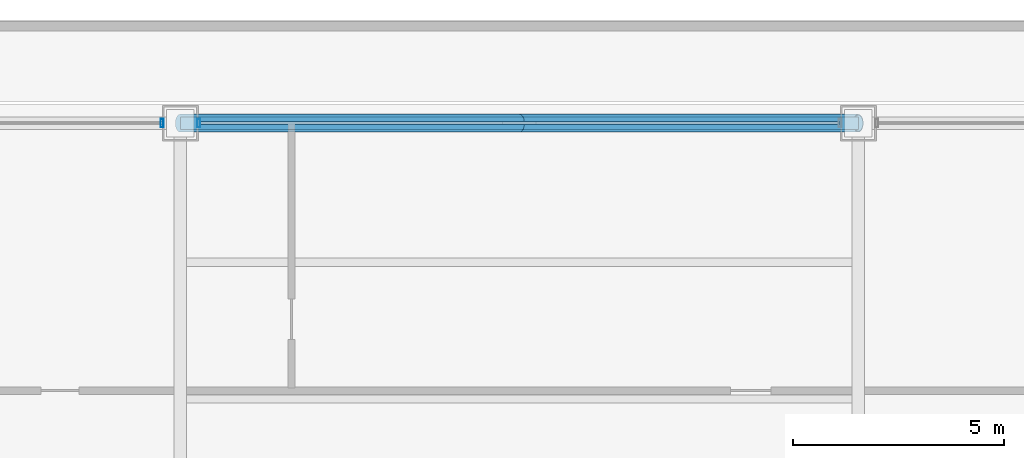
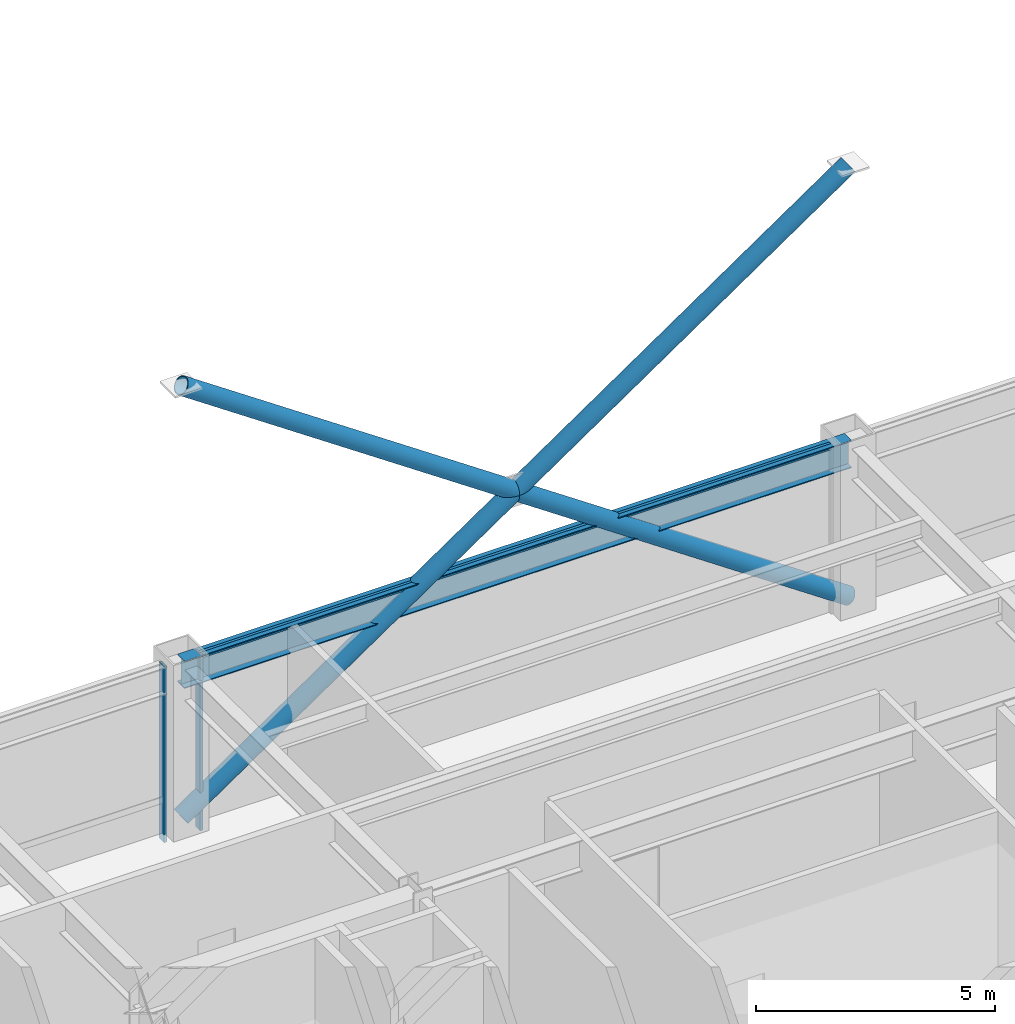
# One storey, part 22 of 32: 6 members, 1 beam, 2 elements without a shape of their own.
"""IFC4 building model written with IfcOpenShell, lengths in metres."""

from ifc_helpers import new_model, si_unit, direction, frame, origin, origin_2d, place, context, subcontext, project, spatial, hollow_rectangle, hollow_circle, i_section, extrude, material, layer, layer_set, material_profile, profile_set, type_object, element, aggregate, save


model = new_model("IFC4")

# Units and contexts
model_context = context("Model", 3, precision=1e-05, world=origin(), true_north=direction((0.0, 1.0)))
body_context = subcontext(model_context, "Body", "Model", "MODEL_VIEW")
ifc_project = project(units=[si_unit("LENGTHUNIT", "METRE"), si_unit("AREAUNIT", "SQUARE_METRE"), si_unit("VOLUMEUNIT", "CUBIC_METRE"), si_unit("PLANEANGLEUNIT", "RADIAN"), si_unit("MASSUNIT", "GRAM", prefix="KILO")], contexts=[model_context])

# Site, building, storey
site_placement = place(None, origin())
site = spatial("IfcSite", under=ifc_project, at=site_placement, CompositionType="ELEMENT")
building_placement = place(site_placement, origin())
building = spatial("IfcBuilding", under=site, at=building_placement, Name="Brelmoor Portico Tower", CompositionType="ELEMENT")
storey_placement = place(building_placement, frame((0.0, 0.0, 87.300048828125)))
storey = spatial("IfcBuildingStorey", under=building, at=storey_placement, Name="L22", CompositionType="ELEMENT", Elevation=87.300048828125)

# Beam
ifc_material_1 = material(Name="Steel Q355B", Category="steel")
ifc_material_profile_1 = material_profile(ifc_material_1, i_section(OverallWidth=0.300048828125, OverallDepth=0.699951171875, WebThickness=0.012939453125, FlangeThickness=0.02392578125, at=origin_2d()), Name="HN 700x300x13x24")
ifc_profile_set_1 = profile_set([ifc_material_profile_1], Name="Steel Q355B")
beam_type = type_object("IfcBeamType", Name="BM-SP-700", PredefinedType="SPANDREL", material=ifc_profile_set_1)
beam_placement = place(storey_placement, frame((-8.050048828125, 19.550048828125, 3.949951171875), z_axis=(1.0, 0.0, 0.0), x_axis=(0.0, 1.0, 0.0)))
element("IfcBeam", 1, at=beam_placement, inside=storey, type_object=beam_type, Name="L22 Perimeter Spandrel Beam SP-12", PredefinedType="SPANDREL", context=body_context, shape_type="SweptSolid", body=[
    extrude(i_section(OverallWidth=0.300048828125, OverallDepth=0.699951171875, WebThickness=0.012939453125, FlangeThickness=0.02392578125, at=origin_2d()), origin(), (0.0, 0.0, 1.0), 16.10009765625),
])

# Members
ifc_material_profile_2 = material_profile(ifc_material_1, hollow_circle(Radius=0.212890625, WallThickness=0.02001953125, at=origin_2d()), Name="CHS 426x20")
ifc_profile_set_2 = profile_set([ifc_material_profile_2], Name="Steel Q355B")
member_type_1 = type_object("IfcMemberType", Name="MB-BELT-DIAG1", PredefinedType="BRACE", material=ifc_profile_set_2)
member_1_placement = place(storey_placement, frame((-8.050048828125, 19.550048828125, 0.25), z_axis=(0.825686049138, 0.0, 0.564129903709), x_axis=(0.0, 1.0, 0.0)))
element("IfcMember", 2, at=member_1_placement, inside=storey, type_object=member_type_1, Name="L22 Continuous Mega-X Brace 045A", PredefinedType="BRACE", context=body_context, shape_type="SweptSolid", body=[
    extrude(hollow_circle(Radius=0.212890625, WallThickness=0.02001953125, at=origin_2d()), origin(), (0.0, 0.0, 1.0), 19.4990234375),
])
for number, where, z_axis, x_axis, name in (
    (3, (8.050048828125, 19.550048828125, 0.25), (-0.825686049138, 0.0, 0.564129903709), (0.0, -1.0, 0.0), "L22 Split Mega-X Brace 045B1"),
    (4, (0.0, 19.550048828125, 5.75), (-0.825686049138, 0.0, 0.564129903709), (0.0, -1.0, 0.0), "L22 Split Mega-X Brace 045B2"),
):
    element("IfcMember", number, at=place(storey_placement, frame(where, z_axis=z_axis, x_axis=x_axis)), inside=storey, type_object=member_type_1, Name=name, PredefinedType="BRACE", context=body_context, shape_type="SweptSolid", body=[
        extrude(hollow_circle(Radius=0.212890625, WallThickness=0.02001953125, at=origin_2d()), origin(), (0.0, 0.0, 1.0), 9.74951171875),
    ])

# Curtain wall, member
ifc_material_2 = material(Name="Anodised Aluminium Alloy 6063-T6", Category="aluminium")
ifc_layer_1 = layer(ifc_material_2, 0.179931640625)
ifc_layer_set_1 = layer_set([ifc_layer_1], Name="Anodised Aluminium Alloy 6063-T6")
curtain_wall_type_1 = type_object("IfcCurtainWallType", Name="CW-SKYLOBBY", PredefinedType="NOTDEFINED", material=ifc_layer_set_1)
curtain_wall_1_placement = place(storey_placement, origin())
curtain_wall_1 = element("IfcCurtainWall", 5, at=curtain_wall_1_placement, inside=storey, type_object=curtain_wall_type_1, Name="L22 Curtain Wall CW-L22-02-2", PredefinedType="NOTDEFINED")
ifc_material_profile_3 = material_profile(ifc_material_2, hollow_rectangle(XDim=0.070068359375, YDim=0.199951171875, WallThickness=0.00439453125, at=origin_2d()), Name="ALU MULLION 70x200")
ifc_profile_set_3 = profile_set([ifc_material_profile_3], Name="Anodised Aluminium Alloy 6063-T6")
member_type_2 = type_object("IfcMemberType", Name="MB-CW-MULL-200", PredefinedType="MULLION", material=ifc_profile_set_3)
member_2_placement = place(storey_placement, frame((-8.485107421875, 19.550048828125, -0.199951171875), z_axis=(0.0, 0.0, 1.0), x_axis=(1.0, 0.0, 0.0)))
member_2 = element("IfcMember", 6, at=member_2_placement, type_object=member_type_2, Name="CW-L22-02-2 Mullion 01", PredefinedType="MULLION", context=body_context, shape_type="SweptSolid", body=[
    extrude(hollow_rectangle(XDim=0.070068359375, YDim=0.199951171875, WallThickness=0.00439453125, at=origin_2d()), origin(), (0.0, 0.0, 1.0), 4.5),
])
aggregate(curtain_wall_1, [member_2])

# Curtain wall, members
ifc_layer_2 = layer(ifc_material_2, 0.179931640625)
ifc_layer_set_2 = layer_set([ifc_layer_2], Name="Anodised Aluminium Alloy 6063-T6")
curtain_wall_type_2 = type_object("IfcCurtainWallType", Name="CW-SKYLOBBY-XB", PredefinedType="NOTDEFINED", material=ifc_layer_set_2)
curtain_wall_2_placement = place(storey_placement, origin())
curtain_wall_2 = element("IfcCurtainWall", 7, at=curtain_wall_2_placement, inside=storey, type_object=curtain_wall_type_2, Name="L22 Curtain Wall CW-L22-02-3", PredefinedType="NOTDEFINED")
member_3_placement = place(storey_placement, frame((-7.614990234375, 19.550048828125, -0.199951171875), z_axis=(0.0, 0.0, 1.0), x_axis=(1.0, 0.0, 0.0)))
member_3 = element("IfcMember", 8, at=member_3_placement, type_object=member_type_2, Name="CW-L22-02-3 Mullion 00", PredefinedType="MULLION", context=body_context, shape_type="SweptSolid", body=[
    extrude(hollow_rectangle(XDim=0.070068359375, YDim=0.199951171875, WallThickness=0.00439453125, at=origin_2d()), origin(), (0.0, 0.0, 1.0), 4.5),
])
ifc_material_profile_4 = material_profile(ifc_material_2, hollow_rectangle(XDim=0.070068359375, YDim=0.159912109375, WallThickness=0.00390625, at=origin_2d()), Name="ALU TRANSOM 70x160")
ifc_profile_set_4 = profile_set([ifc_material_profile_4], Name="Anodised Aluminium Alloy 6063-T6")
member_type_3 = type_object("IfcMemberType", Name="MB-CW-TRAN-160", PredefinedType="USERDEFINED", material=ifc_profile_set_4)
member_4_placement = place(storey_placement, frame((-7.614990234375, 19.550048828125, 4.219970703125), z_axis=(1.0, 0.0, 0.0), x_axis=(0.0, 1.0, 0.0)))
member_4 = element("IfcMember", 9, at=member_4_placement, type_object=member_type_3, Name="CW-L22-02-3 Transom 1-00", ObjectType="TRANSOM", PredefinedType="USERDEFINED", context=body_context, shape_type="SweptSolid", body=[
    extrude(hollow_rectangle(XDim=0.070068359375, YDim=0.159912109375, WallThickness=0.00390625, at=origin_2d()), origin(), (0.0, 0.0, 1.0), 15.22998046875),
])
aggregate(curtain_wall_2, [member_3, member_4])

save(model, "model.ifc")
